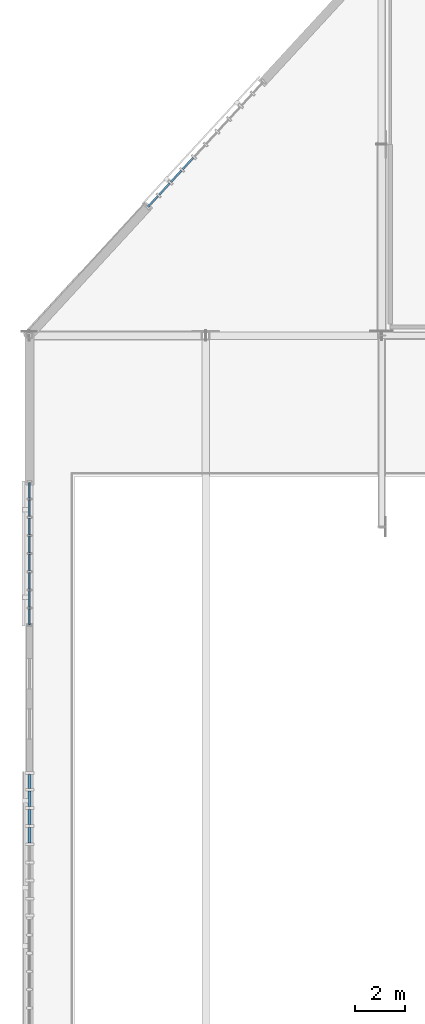
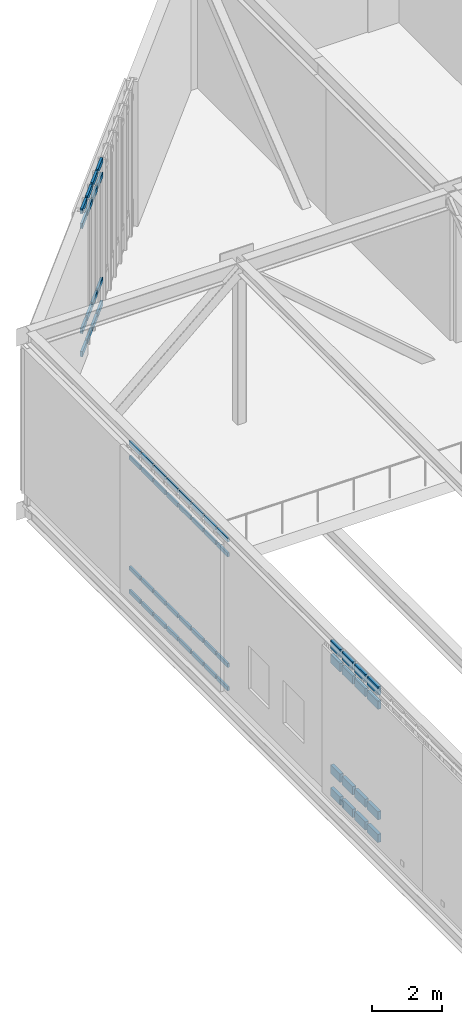
# One storey, part 53 of 135: 64 members, 3 elements without a shape of their own.
"""IFC4 building model written with IfcOpenShell, lengths in metres."""

import ifcopenshell
import ifcopenshell.guid

model = None  # the IFC model being written
_history = None  # IfcOwnerHistory: only IFC2X3 demands one
_inside = {}  # id of a spatial element -> (the spatial element, [elements in it])
_under = {}  # id of a project, library or spatial element -> (it, [spatial elements below it])
_declared = {}  # id of a project -> (the project, [libraries it declares])
_typed = {}  # id of a type object -> (the type object, [elements of that type])
_made_of = {}  # id of a material, layer set ... -> (it, [elements and type objects made of it])


def new_model(schema):
    """Start an empty IFC model of exactly this schema.

    Asked for "IFC4X3", IfcOpenShell would pick the latest addendum, in which some entities
    have other attributes; the version numbers below select the first issue.
    IFC2X3 requires an IfcOwnerHistory on every rooted entity: one is made here for all.
    """
    global model, _history
    if schema == "IFC4X3":
        model = ifcopenshell.file(schema_version=(4, 3, 0, 0))
    else:
        model = ifcopenshell.file(schema=schema)
    _inside.clear()
    _under.clear()
    _declared.clear()
    _typed.clear()
    _made_of.clear()
    _history = None
    if model.schema == "IFC2X3":
        org = make("IfcOrganization", Name="unknown")
        user = make(
            "IfcPersonAndOrganization",
            ThePerson=make("IfcPerson", FamilyName="unknown"),
            TheOrganization=org,
        )
        app = make(
            "IfcApplication",
            ApplicationDeveloper=org,
            Version="unknown",
            ApplicationFullName="unknown",
            ApplicationIdentifier="unknown",
        )
        _history = make(
            "IfcOwnerHistory",
            OwningUser=user,
            OwningApplication=app,
            ChangeAction="ADDED",
            CreationDate=0,
        )
    return model


def make(cls, **values):
    """One entity of the class cls with the attributes given. An attribute that is None is left unset."""
    return model.create_entity(
        cls, **{name: value for name, value in values.items() if value is not None}
    )


def rooted(cls, **values):
    """An entity with a GlobalId (a new one), such as an element, a storey or a relation."""
    return make(cls, GlobalId=ifcopenshell.guid.new(), OwnerHistory=_history, **values)


def si_unit(unit_type, name, prefix=None):
    """IfcSIUnit, for example si_unit("LENGTHUNIT", "METRE", prefix="MILLI")."""
    return make("IfcSIUnit", UnitType=unit_type, Prefix=prefix, Name=name)


def assignment(units):
    """IfcUnitAssignment: the units of a project."""
    return None if units is None else make("IfcUnitAssignment", Units=units)


def point(xyz):
    """IfcCartesianPoint."""
    return None if xyz is None else make("IfcCartesianPoint", Coordinates=xyz)


def direction(xyz):
    """IfcDirection."""
    return None if xyz is None else make("IfcDirection", DirectionRatios=xyz)


def frame(location, z_axis=None, x_axis=None):
    """IfcAxis2Placement3D, a coordinate frame: its origin and axes. An axis left out is left unset."""
    return make(
        "IfcAxis2Placement3D",
        Location=point(location),
        Axis=direction(z_axis),
        RefDirection=direction(x_axis),
    )


def frame_2d(location, x_axis=None):
    """IfcAxis2Placement2D, a coordinate frame in the plane: its origin and x axis."""
    return make(
        "IfcAxis2Placement2D", Location=point(location), RefDirection=direction(x_axis)
    )


def origin():
    """The frame at (0, 0, 0) with its axes left unset."""
    return frame((0.0, 0.0, 0.0))


def origin_2d():
    """The frame at (0, 0) in the plane with its x axis left unset."""
    return frame_2d((0.0, 0.0))


def place(relative_to, where):
    """IfcLocalPlacement: puts the frame where relative to a parent placement (None: the world)."""
    return make(
        "IfcLocalPlacement", PlacementRelTo=relative_to, RelativePlacement=where
    )


def context(
    kind, dimensions, precision=None, world=None, true_north=None, identifier=None
):
    """IfcGeometricRepresentationContext, for example the 3D "Model" context."""
    return make(
        "IfcGeometricRepresentationContext",
        ContextIdentifier=identifier,
        ContextType=kind,
        CoordinateSpaceDimension=dimensions,
        Precision=precision,
        WorldCoordinateSystem=world,
        TrueNorth=true_north,
    )


def subcontext(parent, identifier, kind, view, scale=None):
    """IfcGeometricRepresentationSubContext, for example "Body" below "Model"."""
    return make(
        "IfcGeometricRepresentationSubContext",
        ContextIdentifier=identifier,
        ContextType=kind,
        ParentContext=parent,
        TargetScale=scale,
        TargetView=view,
    )


def project(units=None, contexts=None):
    """IfcProject with its units and contexts."""
    return rooted(
        "IfcProject",
        Name="project",
        RepresentationContexts=contexts,
        UnitsInContext=assignment(units),
    )


def spatial(cls, under=None, at=None, **own):
    """A site, building, storey or space (cls), placed at a placement, below another one or the project."""
    s = rooted(cls, ObjectPlacement=at, **own)
    if under is not None:
        _under.setdefault(under.id(), (under, []))[1].append(s)
    return s


def profile(cls, at=None, kind="AREA", **sizes):
    """A parametric profile (cls). Its sizes go by their IFC names, for example OverallWidth=200.0."""
    return make(cls, ProfileType=kind, Position=at, **sizes)


def rectangle(**sizes):
    """IfcRectangleProfileDef."""
    return profile("IfcRectangleProfileDef", **sizes)


def extrude(swept, where, along, depth):
    """IfcExtrudedAreaSolid: the profile swept, set in the frame where, extruded along a direction by depth."""
    return make(
        "IfcExtrudedAreaSolid",
        SweptArea=swept,
        Position=where,
        ExtrudedDirection=direction(along),
        Depth=depth,
    )


def shape(context_of_items, identifier, shape_type, items):
    """IfcShapeRepresentation: the items that make up one representation, for example the "Body"."""
    return make(
        "IfcShapeRepresentation",
        ContextOfItems=context_of_items,
        RepresentationIdentifier=identifier,
        RepresentationType=shape_type,
        Items=items,
    )


def material(Name=None, Category=None):
    """IfcMaterial."""
    return make("IfcMaterial", Name=Name, Category=Category)


def material_profile(
    of_material, cross_section, Name=None, Category=None, Priority=None
):
    """IfcMaterialProfile: a cross section and its material."""
    return make(
        "IfcMaterialProfile",
        Name=Name,
        Material=of_material,
        Profile=cross_section,
        Priority=Priority,
        Category=Category,
    )


def profile_set(profiles, Name=None, composite=None):
    """IfcMaterialProfileSet."""
    return make(
        "IfcMaterialProfileSet",
        Name=Name,
        MaterialProfiles=profiles,
        CompositeProfile=composite,
    )


def made_of(thing, what):
    """Note that an element or type object is made of a material, layer set ...; save() writes the relation."""
    if what is not None:
        _made_of.setdefault(what.id(), (what, []))[1].append(thing)
    return thing


def type_object(cls, material=None, **own):
    """A type object (cls), such as IfcWallType, which elements share."""
    return made_of(rooted(cls, **own), material)


def element(
    cls,
    number,
    at=None,
    inside=None,
    cuts=None,
    type_object=None,
    material=None,
    context=None,
    identifier="Body",
    shape_type=None,
    held_by="IfcProductDefinitionShape",
    body=None,
    shapes=None,
    **own,
):
    """One element of the class cls, such as IfcWall. Its Tag is "e" and its number.

    at: its placement. inside: the storey or other place that contains it. cuts: it is an
    opening in that element (IfcRelVoidsElement). A single representation is given by context,
    identifier, shape_type and body (its items); several are given by shapes. held_by: the class
    of the entity that holds the representations. save() writes the other relations.
    """
    e = rooted(cls, Tag="e%d" % number, ObjectPlacement=at, **own)
    if body is not None:
        shapes = [shape(context, identifier, shape_type, body)]
    if shapes is not None:
        e.Representation = make(held_by, Representations=shapes)
    if inside is not None:
        _inside.setdefault(inside.id(), (inside, []))[1].append(e)
    if cuts is not None:
        rooted(
            "IfcRelVoidsElement", RelatingBuildingElement=cuts, RelatedOpeningElement=e
        )
    if type_object is not None:
        _typed.setdefault(type_object.id(), (type_object, []))[1].append(e)
    return made_of(e, material)


def aggregate(whole, parts):
    """IfcRelAggregates: a whole, such as a stair, and the parts it consists of."""
    return rooted("IfcRelAggregates", RelatingObject=whole, RelatedObjects=parts)


def save(model, path):
    """Write the relations noted so far, then the file.

    IfcRelAggregates (storeys below a building ...), IfcRelContainedInSpatialStructure (elements
    in a storey), IfcRelDefinesByType, IfcRelAssociatesMaterial and IfcRelDeclares: one each for
    every whole, place, type object, material and project.
    """
    for whole, parts in _under.values():
        aggregate(whole, parts)
    for where, things in _inside.values():
        rooted(
            "IfcRelContainedInSpatialStructure",
            RelatedElements=things,
            RelatingStructure=where,
        )
    for kind, things in _typed.values():
        rooted("IfcRelDefinesByType", RelatedObjects=things, RelatingType=kind)
    for what, things in _made_of.values():
        rooted("IfcRelAssociatesMaterial", RelatedObjects=things, RelatingMaterial=what)
    for by, libraries in _declared.values():
        rooted("IfcRelDeclares", RelatingContext=by, RelatedDefinitions=libraries)
    model.write(path)


model = new_model("IFC4")

# Units and contexts
model_context = context("Model", 3, precision=1e-05, world=origin(), true_north=direction((0.0, 1.0)))
body_context = subcontext(model_context, "Body", "Model", "MODEL_VIEW")
ifc_project = project(units=[si_unit("LENGTHUNIT", "METRE"), si_unit("AREAUNIT", "SQUARE_METRE"), si_unit("VOLUMEUNIT", "CUBIC_METRE"), si_unit("PLANEANGLEUNIT", "RADIAN"), si_unit("MASSUNIT", "GRAM", prefix="KILO")], contexts=[model_context])

# Site, building, storey
site_placement = place(None, origin())
site = spatial("IfcSite", under=ifc_project, at=site_placement, CompositionType="ELEMENT")
building_placement = place(site_placement, origin())
building = spatial("IfcBuilding", under=site, at=building_placement, Name="Larkvane Passage Sports Hall", CompositionType="ELEMENT")
storey_placement = place(building_placement, frame((0.0, 0.0, 10.800048828125)))
storey = spatial("IfcBuildingStorey", under=building, at=storey_placement, Name="L02", CompositionType="ELEMENT", Elevation=10.800048828125)

# Curtain wall, members
ifc_material_1 = material(Name="Thermally broken aluminium and low-E glazing", Category="aluminium")
curtain_wall_type_1 = type_object("IfcCurtainWallType", Name="CW-CLINIC", PredefinedType="USERDEFINED", material=ifc_material_1)
curtain_wall_1_placement = place(storey_placement, origin())
curtain_wall_1 = element("IfcCurtainWall", 1, at=curtain_wall_1_placement, inside=storey, type_object=curtain_wall_type_1, Name="Curtain wall CW5-L02-095", ObjectType="UNITISED CURTAIN WALL", PredefinedType="USERDEFINED")
ifc_material_2 = material(Name="Anodised aluminium 6063-T6", Category="aluminium")
ifc_material_profile_1 = material_profile(ifc_material_2, rectangle(XDim=0.110107421875, YDim=0.2900390625, at=origin_2d()), Name="ALU-TRN-110x290")
ifc_profile_set_1 = profile_set([ifc_material_profile_1], Name="Anodised aluminium 6063-T6")
member_type_1 = type_object("IfcMemberType", Name="CW-TRN-110x290", PredefinedType="USERDEFINED", material=ifc_profile_set_1)
member_1_placement = place(storey_placement, frame((13.800048828125, 71.432861328125, 0.054931640625), z_axis=(0.0, 1.0, 0.0), x_axis=(-1.0, 0.0, 0.0)))
member_1 = element("IfcMember", 2, at=member_1_placement, type_object=member_type_1, Name="CW-05 transom 5.1", ObjectType="TRANSOM", PredefinedType="USERDEFINED", context=body_context, shape_type="SweptSolid", body=[
    extrude(rectangle(XDim=0.110107421875, YDim=0.2900390625, at=origin_2d()), origin(), (0.0, 0.0, 1.0), 0.612060546875),
])
member_2_placement = place(storey_placement, frame((13.800048828125, 71.432861328125, 0.849853515625), z_axis=(0.0, 1.0, 0.0), x_axis=(-1.0, 0.0, 0.0)))
member_2 = element("IfcMember", 3, at=member_2_placement, type_object=member_type_1, Name="CW-05 transom 5.2", ObjectType="TRANSOM", PredefinedType="USERDEFINED", context=body_context, shape_type="SweptSolid", body=[
    extrude(rectangle(XDim=0.110107421875, YDim=0.2900390625, at=origin_2d()), origin(), (0.0, 0.0, 1.0), 0.612060546875),
])
member_3_placement = place(storey_placement, frame((13.800048828125, 71.432861328125, 4.72802734375), z_axis=(0.0, 1.0, 0.0), x_axis=(-1.0, 0.0, 0.0)))
member_3 = element("IfcMember", 4, at=member_3_placement, type_object=member_type_1, Name="CW-05 transom 5.3", ObjectType="TRANSOM", PredefinedType="USERDEFINED", context=body_context, shape_type="SweptSolid", body=[
    extrude(rectangle(XDim=0.110107421875, YDim=0.2900390625, at=origin_2d()), origin(), (0.0, 0.0, 1.0), 0.612060546875),
])
member_4_placement = place(storey_placement, frame((13.800048828125, 71.432861328125, 5.222900390625), z_axis=(0.0, 1.0, 0.0), x_axis=(-1.0, 0.0, 0.0)))
member_4 = element("IfcMember", 5, at=member_4_placement, type_object=member_type_1, Name="CW-05 transom 5.4", ObjectType="TRANSOM", PredefinedType="USERDEFINED", context=body_context, shape_type="SweptSolid", body=[
    extrude(rectangle(XDim=0.110107421875, YDim=0.2900390625, at=origin_2d()), origin(), (0.0, 0.0, 1.0), 0.612060546875),
])
member_5_placement = place(storey_placement, frame((13.800048828125, 72.155029296875, 0.054931640625), z_axis=(0.0, 1.0, 0.0), x_axis=(-1.0, 0.0, 0.0)))
member_5 = element("IfcMember", 6, at=member_5_placement, type_object=member_type_1, Name="CW-05 transom 6.1", ObjectType="TRANSOM", PredefinedType="USERDEFINED", context=body_context, shape_type="SweptSolid", body=[
    extrude(rectangle(XDim=0.110107421875, YDim=0.2900390625, at=origin_2d()), origin(), (0.0, 0.0, 1.0), 0.6123046875),
])
member_6_placement = place(storey_placement, frame((13.800048828125, 72.155029296875, 0.849853515625), z_axis=(0.0, 1.0, 0.0), x_axis=(-1.0, 0.0, 0.0)))
member_6 = element("IfcMember", 7, at=member_6_placement, type_object=member_type_1, Name="CW-05 transom 6.2", ObjectType="TRANSOM", PredefinedType="USERDEFINED", context=body_context, shape_type="SweptSolid", body=[
    extrude(rectangle(XDim=0.110107421875, YDim=0.2900390625, at=origin_2d()), origin(), (0.0, 0.0, 1.0), 0.6123046875),
])
member_7_placement = place(storey_placement, frame((13.800048828125, 72.155029296875, 4.72802734375), z_axis=(0.0, 1.0, 0.0), x_axis=(-1.0, 0.0, 0.0)))
member_7 = element("IfcMember", 8, at=member_7_placement, type_object=member_type_1, Name="CW-05 transom 6.3", ObjectType="TRANSOM", PredefinedType="USERDEFINED", context=body_context, shape_type="SweptSolid", body=[
    extrude(rectangle(XDim=0.110107421875, YDim=0.2900390625, at=origin_2d()), origin(), (0.0, 0.0, 1.0), 0.6123046875),
])
member_8_placement = place(storey_placement, frame((13.800048828125, 72.155029296875, 5.222900390625), z_axis=(0.0, 1.0, 0.0), x_axis=(-1.0, 0.0, 0.0)))
member_8 = element("IfcMember", 9, at=member_8_placement, type_object=member_type_1, Name="CW-05 transom 6.4", ObjectType="TRANSOM", PredefinedType="USERDEFINED", context=body_context, shape_type="SweptSolid", body=[
    extrude(rectangle(XDim=0.110107421875, YDim=0.2900390625, at=origin_2d()), origin(), (0.0, 0.0, 1.0), 0.6123046875),
])
member_9_placement = place(storey_placement, frame((13.800048828125, 72.877197265625, 0.054931640625), z_axis=(0.0, 1.0, 0.0), x_axis=(-1.0, 0.0, 0.0)))
member_9 = element("IfcMember", 10, at=member_9_placement, type_object=member_type_1, Name="CW-05 transom 7.1", ObjectType="TRANSOM", PredefinedType="USERDEFINED", context=body_context, shape_type="SweptSolid", body=[
    extrude(rectangle(XDim=0.110107421875, YDim=0.2900390625, at=origin_2d()), origin(), (0.0, 0.0, 1.0), 0.6123046875),
])
member_10_placement = place(storey_placement, frame((13.800048828125, 72.877197265625, 0.849853515625), z_axis=(0.0, 1.0, 0.0), x_axis=(-1.0, 0.0, 0.0)))
member_10 = element("IfcMember", 11, at=member_10_placement, type_object=member_type_1, Name="CW-05 transom 7.2", ObjectType="TRANSOM", PredefinedType="USERDEFINED", context=body_context, shape_type="SweptSolid", body=[
    extrude(rectangle(XDim=0.110107421875, YDim=0.2900390625, at=origin_2d()), origin(), (0.0, 0.0, 1.0), 0.6123046875),
])
member_11_placement = place(storey_placement, frame((13.800048828125, 72.877197265625, 4.72802734375), z_axis=(0.0, 1.0, 0.0), x_axis=(-1.0, 0.0, 0.0)))
member_11 = element("IfcMember", 12, at=member_11_placement, type_object=member_type_1, Name="CW-05 transom 7.3", ObjectType="TRANSOM", PredefinedType="USERDEFINED", context=body_context, shape_type="SweptSolid", body=[
    extrude(rectangle(XDim=0.110107421875, YDim=0.2900390625, at=origin_2d()), origin(), (0.0, 0.0, 1.0), 0.6123046875),
])
member_12_placement = place(storey_placement, frame((13.800048828125, 72.877197265625, 5.222900390625), z_axis=(0.0, 1.0, 0.0), x_axis=(-1.0, 0.0, 0.0)))
member_12 = element("IfcMember", 13, at=member_12_placement, type_object=member_type_1, Name="CW-05 transom 7.4", ObjectType="TRANSOM", PredefinedType="USERDEFINED", context=body_context, shape_type="SweptSolid", body=[
    extrude(rectangle(XDim=0.110107421875, YDim=0.2900390625, at=origin_2d()), origin(), (0.0, 0.0, 1.0), 0.6123046875),
])
member_13_placement = place(storey_placement, frame((13.800048828125, 73.599365234375, 0.054931640625), z_axis=(0.0, 1.0, 0.0), x_axis=(-1.0, 0.0, 0.0)))
member_13 = element("IfcMember", 14, at=member_13_placement, type_object=member_type_1, Name="CW-05 transom 8.1", ObjectType="TRANSOM", PredefinedType="USERDEFINED", context=body_context, shape_type="SweptSolid", body=[
    extrude(rectangle(XDim=0.110107421875, YDim=0.2900390625, at=origin_2d()), origin(), (0.0, 0.0, 1.0), 0.557373046875),
])
member_14_placement = place(storey_placement, frame((13.800048828125, 73.599365234375, 0.849853515625), z_axis=(0.0, 1.0, 0.0), x_axis=(-1.0, 0.0, 0.0)))
member_14 = element("IfcMember", 15, at=member_14_placement, type_object=member_type_1, Name="CW-05 transom 8.2", ObjectType="TRANSOM", PredefinedType="USERDEFINED", context=body_context, shape_type="SweptSolid", body=[
    extrude(rectangle(XDim=0.110107421875, YDim=0.2900390625, at=origin_2d()), origin(), (0.0, 0.0, 1.0), 0.557373046875),
])
member_15_placement = place(storey_placement, frame((13.800048828125, 73.599365234375, 4.72802734375), z_axis=(0.0, 1.0, 0.0), x_axis=(-1.0, 0.0, 0.0)))
member_15 = element("IfcMember", 16, at=member_15_placement, type_object=member_type_1, Name="CW-05 transom 8.3", ObjectType="TRANSOM", PredefinedType="USERDEFINED", context=body_context, shape_type="SweptSolid", body=[
    extrude(rectangle(XDim=0.110107421875, YDim=0.2900390625, at=origin_2d()), origin(), (0.0, 0.0, 1.0), 0.557373046875),
])
member_16_placement = place(storey_placement, frame((13.800048828125, 73.599365234375, 5.222900390625), z_axis=(0.0, 1.0, 0.0), x_axis=(-1.0, 0.0, 0.0)))
member_16 = element("IfcMember", 17, at=member_16_placement, type_object=member_type_1, Name="CW-05 transom 8.4", ObjectType="TRANSOM", PredefinedType="USERDEFINED", context=body_context, shape_type="SweptSolid", body=[
    extrude(rectangle(XDim=0.110107421875, YDim=0.2900390625, at=origin_2d()), origin(), (0.0, 0.0, 1.0), 0.557373046875),
])
aggregate(curtain_wall_1, [member_1, member_2, member_3, member_4, member_5, member_6, member_7, member_8, member_9, member_10, member_11, member_12, member_13, member_14, member_15, member_16])

curtain_wall_type_2 = type_object("IfcCurtainWallType", Name="CW-UNIT-COURT", PredefinedType="USERDEFINED", material=ifc_material_1)
curtain_wall_2_placement = place(storey_placement, origin())
curtain_wall_2 = element("IfcCurtainWall", 18, at=curtain_wall_2_placement, inside=storey, type_object=curtain_wall_type_2, Name="Curtain wall CW5-L02-096", ObjectType="UNITISED CURTAIN WALL", PredefinedType="USERDEFINED")
ifc_material_profile_2 = material_profile(ifc_material_2, rectangle(XDim=0.06494140625, YDim=0.139892578125, at=origin_2d()), Name="ALU-TRN-65x140")
ifc_profile_set_2 = profile_set([ifc_material_profile_2], Name="Anodised aluminium 6063-T6")
member_type_2 = type_object("IfcMemberType", Name="CW-TRN-65x140", PredefinedType="USERDEFINED", material=ifc_profile_set_2)
member_17_placement = place(storey_placement, frame((13.800048828125, 80.109375, 0.032470703125), z_axis=(0.0, 1.0, 0.0), x_axis=(-1.0, 0.0, 0.0)))
member_17 = element("IfcMember", 19, at=member_17_placement, type_object=member_type_2, Name="CW-01 transom 1.1", ObjectType="TRANSOM", PredefinedType="USERDEFINED", context=body_context, shape_type="SweptSolid", body=[
    extrude(rectangle(XDim=0.06494140625, YDim=0.139892578125, at=origin_2d()), origin(), (0.0, 0.0, 1.0), 0.624755859375),
])
member_18_placement = place(storey_placement, frame((13.800048828125, 80.109375, 0.849853515625), z_axis=(0.0, 1.0, 0.0), x_axis=(-1.0, 0.0, 0.0)))
member_18 = element("IfcMember", 20, at=member_18_placement, type_object=member_type_2, Name="CW-01 transom 1.2", ObjectType="TRANSOM", PredefinedType="USERDEFINED", context=body_context, shape_type="SweptSolid", body=[
    extrude(rectangle(XDim=0.06494140625, YDim=0.139892578125, at=origin_2d()), origin(), (0.0, 0.0, 1.0), 0.624755859375),
])
member_19_placement = place(storey_placement, frame((13.800048828125, 80.109375, 4.72802734375), z_axis=(0.0, 1.0, 0.0), x_axis=(-1.0, 0.0, 0.0)))
member_19 = element("IfcMember", 21, at=member_19_placement, type_object=member_type_2, Name="CW-01 transom 1.3", ObjectType="TRANSOM", PredefinedType="USERDEFINED", context=body_context, shape_type="SweptSolid", body=[
    extrude(rectangle(XDim=0.06494140625, YDim=0.139892578125, at=origin_2d()), origin(), (0.0, 0.0, 1.0), 0.624755859375),
])
member_20_placement = place(storey_placement, frame((13.800048828125, 80.109375, 5.245361328125), z_axis=(0.0, 1.0, 0.0), x_axis=(-1.0, 0.0, 0.0)))
member_20 = element("IfcMember", 22, at=member_20_placement, type_object=member_type_2, Name="CW-01 transom 1.4", ObjectType="TRANSOM", PredefinedType="USERDEFINED", context=body_context, shape_type="SweptSolid", body=[
    extrude(rectangle(XDim=0.06494140625, YDim=0.139892578125, at=origin_2d()), origin(), (0.0, 0.0, 1.0), 0.624755859375),
])
member_21_placement = place(storey_placement, frame((13.800048828125, 80.799072265625, 0.032470703125), z_axis=(0.0, 1.0, 0.0), x_axis=(-1.0, 0.0, 0.0)))
member_21 = element("IfcMember", 23, at=member_21_placement, type_object=member_type_2, Name="CW-01 transom 2.1", ObjectType="TRANSOM", PredefinedType="USERDEFINED", context=body_context, shape_type="SweptSolid", body=[
    extrude(rectangle(XDim=0.06494140625, YDim=0.139892578125, at=origin_2d()), origin(), (0.0, 0.0, 1.0), 0.6572265625),
])
member_22_placement = place(storey_placement, frame((13.800048828125, 80.799072265625, 0.849853515625), z_axis=(0.0, 1.0, 0.0), x_axis=(-1.0, 0.0, 0.0)))
member_22 = element("IfcMember", 24, at=member_22_placement, type_object=member_type_2, Name="CW-01 transom 2.2", ObjectType="TRANSOM", PredefinedType="USERDEFINED", context=body_context, shape_type="SweptSolid", body=[
    extrude(rectangle(XDim=0.06494140625, YDim=0.139892578125, at=origin_2d()), origin(), (0.0, 0.0, 1.0), 0.6572265625),
])
member_23_placement = place(storey_placement, frame((13.800048828125, 80.799072265625, 4.72802734375), z_axis=(0.0, 1.0, 0.0), x_axis=(-1.0, 0.0, 0.0)))
member_23 = element("IfcMember", 25, at=member_23_placement, type_object=member_type_2, Name="CW-01 transom 2.3", ObjectType="TRANSOM", PredefinedType="USERDEFINED", context=body_context, shape_type="SweptSolid", body=[
    extrude(rectangle(XDim=0.06494140625, YDim=0.139892578125, at=origin_2d()), origin(), (0.0, 0.0, 1.0), 0.6572265625),
])
member_24_placement = place(storey_placement, frame((13.800048828125, 80.799072265625, 5.245361328125), z_axis=(0.0, 1.0, 0.0), x_axis=(-1.0, 0.0, 0.0)))
member_24 = element("IfcMember", 26, at=member_24_placement, type_object=member_type_2, Name="CW-01 transom 2.4", ObjectType="TRANSOM", PredefinedType="USERDEFINED", context=body_context, shape_type="SweptSolid", body=[
    extrude(rectangle(XDim=0.06494140625, YDim=0.139892578125, at=origin_2d()), origin(), (0.0, 0.0, 1.0), 0.6572265625),
])
member_25_placement = place(storey_placement, frame((13.800048828125, 81.521240234375, 0.032470703125), z_axis=(0.0, 1.0, 0.0), x_axis=(-1.0, 0.0, 0.0)))
member_25 = element("IfcMember", 27, at=member_25_placement, type_object=member_type_2, Name="CW-01 transom 3.1", ObjectType="TRANSOM", PredefinedType="USERDEFINED", context=body_context, shape_type="SweptSolid", body=[
    extrude(rectangle(XDim=0.06494140625, YDim=0.139892578125, at=origin_2d()), origin(), (0.0, 0.0, 1.0), 0.6572265625),
])
member_26_placement = place(storey_placement, frame((13.800048828125, 81.521240234375, 0.849853515625), z_axis=(0.0, 1.0, 0.0), x_axis=(-1.0, 0.0, 0.0)))
member_26 = element("IfcMember", 28, at=member_26_placement, type_object=member_type_2, Name="CW-01 transom 3.2", ObjectType="TRANSOM", PredefinedType="USERDEFINED", context=body_context, shape_type="SweptSolid", body=[
    extrude(rectangle(XDim=0.06494140625, YDim=0.139892578125, at=origin_2d()), origin(), (0.0, 0.0, 1.0), 0.6572265625),
])
member_27_placement = place(storey_placement, frame((13.800048828125, 81.521240234375, 4.72802734375), z_axis=(0.0, 1.0, 0.0), x_axis=(-1.0, 0.0, 0.0)))
member_27 = element("IfcMember", 29, at=member_27_placement, type_object=member_type_2, Name="CW-01 transom 3.3", ObjectType="TRANSOM", PredefinedType="USERDEFINED", context=body_context, shape_type="SweptSolid", body=[
    extrude(rectangle(XDim=0.06494140625, YDim=0.139892578125, at=origin_2d()), origin(), (0.0, 0.0, 1.0), 0.6572265625),
])
member_28_placement = place(storey_placement, frame((13.800048828125, 81.521240234375, 5.245361328125), z_axis=(0.0, 1.0, 0.0), x_axis=(-1.0, 0.0, 0.0)))
member_28 = element("IfcMember", 30, at=member_28_placement, type_object=member_type_2, Name="CW-01 transom 3.4", ObjectType="TRANSOM", PredefinedType="USERDEFINED", context=body_context, shape_type="SweptSolid", body=[
    extrude(rectangle(XDim=0.06494140625, YDim=0.139892578125, at=origin_2d()), origin(), (0.0, 0.0, 1.0), 0.6572265625),
])
member_29_placement = place(storey_placement, frame((13.800048828125, 82.24365234375, 0.032470703125), z_axis=(0.0, 1.0, 0.0), x_axis=(-1.0, 0.0, 0.0)))
member_29 = element("IfcMember", 31, at=member_29_placement, type_object=member_type_2, Name="CW-01 transom 4.1", ObjectType="TRANSOM", PredefinedType="USERDEFINED", context=body_context, shape_type="SweptSolid", body=[
    extrude(rectangle(XDim=0.06494140625, YDim=0.139892578125, at=origin_2d()), origin(), (0.0, 0.0, 1.0), 0.6572265625),
])
member_30_placement = place(storey_placement, frame((13.800048828125, 82.24365234375, 0.849853515625), z_axis=(0.0, 1.0, 0.0), x_axis=(-1.0, 0.0, 0.0)))
member_30 = element("IfcMember", 32, at=member_30_placement, type_object=member_type_2, Name="CW-01 transom 4.2", ObjectType="TRANSOM", PredefinedType="USERDEFINED", context=body_context, shape_type="SweptSolid", body=[
    extrude(rectangle(XDim=0.06494140625, YDim=0.139892578125, at=origin_2d()), origin(), (0.0, 0.0, 1.0), 0.6572265625),
])
member_31_placement = place(storey_placement, frame((13.800048828125, 82.24365234375, 4.72802734375), z_axis=(0.0, 1.0, 0.0), x_axis=(-1.0, 0.0, 0.0)))
member_31 = element("IfcMember", 33, at=member_31_placement, type_object=member_type_2, Name="CW-01 transom 4.3", ObjectType="TRANSOM", PredefinedType="USERDEFINED", context=body_context, shape_type="SweptSolid", body=[
    extrude(rectangle(XDim=0.06494140625, YDim=0.139892578125, at=origin_2d()), origin(), (0.0, 0.0, 1.0), 0.6572265625),
])
member_32_placement = place(storey_placement, frame((13.800048828125, 82.24365234375, 5.245361328125), z_axis=(0.0, 1.0, 0.0), x_axis=(-1.0, 0.0, 0.0)))
member_32 = element("IfcMember", 34, at=member_32_placement, type_object=member_type_2, Name="CW-01 transom 4.4", ObjectType="TRANSOM", PredefinedType="USERDEFINED", context=body_context, shape_type="SweptSolid", body=[
    extrude(rectangle(XDim=0.06494140625, YDim=0.139892578125, at=origin_2d()), origin(), (0.0, 0.0, 1.0), 0.6572265625),
])
member_33_placement = place(storey_placement, frame((13.800048828125, 82.9658203125, 0.032470703125), z_axis=(0.0, 1.0, 0.0), x_axis=(-1.0, 0.0, 0.0)))
member_33 = element("IfcMember", 35, at=member_33_placement, type_object=member_type_2, Name="CW-01 transom 5.1", ObjectType="TRANSOM", PredefinedType="USERDEFINED", context=body_context, shape_type="SweptSolid", body=[
    extrude(rectangle(XDim=0.06494140625, YDim=0.139892578125, at=origin_2d()), origin(), (0.0, 0.0, 1.0), 0.6572265625),
])
member_34_placement = place(storey_placement, frame((13.800048828125, 82.9658203125, 0.849853515625), z_axis=(0.0, 1.0, 0.0), x_axis=(-1.0, 0.0, 0.0)))
member_34 = element("IfcMember", 36, at=member_34_placement, type_object=member_type_2, Name="CW-01 transom 5.2", ObjectType="TRANSOM", PredefinedType="USERDEFINED", context=body_context, shape_type="SweptSolid", body=[
    extrude(rectangle(XDim=0.06494140625, YDim=0.139892578125, at=origin_2d()), origin(), (0.0, 0.0, 1.0), 0.6572265625),
])
member_35_placement = place(storey_placement, frame((13.800048828125, 82.9658203125, 4.72802734375), z_axis=(0.0, 1.0, 0.0), x_axis=(-1.0, 0.0, 0.0)))
member_35 = element("IfcMember", 37, at=member_35_placement, type_object=member_type_2, Name="CW-01 transom 5.3", ObjectType="TRANSOM", PredefinedType="USERDEFINED", context=body_context, shape_type="SweptSolid", body=[
    extrude(rectangle(XDim=0.06494140625, YDim=0.139892578125, at=origin_2d()), origin(), (0.0, 0.0, 1.0), 0.6572265625),
])
member_36_placement = place(storey_placement, frame((13.800048828125, 82.9658203125, 5.245361328125), z_axis=(0.0, 1.0, 0.0), x_axis=(-1.0, 0.0, 0.0)))
member_36 = element("IfcMember", 38, at=member_36_placement, type_object=member_type_2, Name="CW-01 transom 5.4", ObjectType="TRANSOM", PredefinedType="USERDEFINED", context=body_context, shape_type="SweptSolid", body=[
    extrude(rectangle(XDim=0.06494140625, YDim=0.139892578125, at=origin_2d()), origin(), (0.0, 0.0, 1.0), 0.6572265625),
])
member_37_placement = place(storey_placement, frame((13.800048828125, 83.68798828125, 0.032470703125), z_axis=(0.0, 1.0, 0.0), x_axis=(-1.0, 0.0, 0.0)))
member_37 = element("IfcMember", 39, at=member_37_placement, type_object=member_type_2, Name="CW-01 transom 6.1", ObjectType="TRANSOM", PredefinedType="USERDEFINED", context=body_context, shape_type="SweptSolid", body=[
    extrude(rectangle(XDim=0.06494140625, YDim=0.139892578125, at=origin_2d()), origin(), (0.0, 0.0, 1.0), 0.6572265625),
])
member_38_placement = place(storey_placement, frame((13.800048828125, 83.68798828125, 0.849853515625), z_axis=(0.0, 1.0, 0.0), x_axis=(-1.0, 0.0, 0.0)))
member_38 = element("IfcMember", 40, at=member_38_placement, type_object=member_type_2, Name="CW-01 transom 6.2", ObjectType="TRANSOM", PredefinedType="USERDEFINED", context=body_context, shape_type="SweptSolid", body=[
    extrude(rectangle(XDim=0.06494140625, YDim=0.139892578125, at=origin_2d()), origin(), (0.0, 0.0, 1.0), 0.6572265625),
])
member_39_placement = place(storey_placement, frame((13.800048828125, 83.68798828125, 4.72802734375), z_axis=(0.0, 1.0, 0.0), x_axis=(-1.0, 0.0, 0.0)))
member_39 = element("IfcMember", 41, at=member_39_placement, type_object=member_type_2, Name="CW-01 transom 6.3", ObjectType="TRANSOM", PredefinedType="USERDEFINED", context=body_context, shape_type="SweptSolid", body=[
    extrude(rectangle(XDim=0.06494140625, YDim=0.139892578125, at=origin_2d()), origin(), (0.0, 0.0, 1.0), 0.6572265625),
])
member_40_placement = place(storey_placement, frame((13.800048828125, 83.68798828125, 5.245361328125), z_axis=(0.0, 1.0, 0.0), x_axis=(-1.0, 0.0, 0.0)))
member_40 = element("IfcMember", 42, at=member_40_placement, type_object=member_type_2, Name="CW-01 transom 6.4", ObjectType="TRANSOM", PredefinedType="USERDEFINED", context=body_context, shape_type="SweptSolid", body=[
    extrude(rectangle(XDim=0.06494140625, YDim=0.139892578125, at=origin_2d()), origin(), (0.0, 0.0, 1.0), 0.6572265625),
])
member_41_placement = place(storey_placement, frame((13.800048828125, 84.41015625, 0.032470703125), z_axis=(0.0, 1.0, 0.0), x_axis=(-1.0, 0.0, 0.0)))
member_41 = element("IfcMember", 43, at=member_41_placement, type_object=member_type_2, Name="CW-01 transom 7.1", ObjectType="TRANSOM", PredefinedType="USERDEFINED", context=body_context, shape_type="SweptSolid", body=[
    extrude(rectangle(XDim=0.06494140625, YDim=0.139892578125, at=origin_2d()), origin(), (0.0, 0.0, 1.0), 0.6572265625),
])
member_42_placement = place(storey_placement, frame((13.800048828125, 84.41015625, 0.849853515625), z_axis=(0.0, 1.0, 0.0), x_axis=(-1.0, 0.0, 0.0)))
member_42 = element("IfcMember", 44, at=member_42_placement, type_object=member_type_2, Name="CW-01 transom 7.2", ObjectType="TRANSOM", PredefinedType="USERDEFINED", context=body_context, shape_type="SweptSolid", body=[
    extrude(rectangle(XDim=0.06494140625, YDim=0.139892578125, at=origin_2d()), origin(), (0.0, 0.0, 1.0), 0.6572265625),
])
member_43_placement = place(storey_placement, frame((13.800048828125, 84.41015625, 4.72802734375), z_axis=(0.0, 1.0, 0.0), x_axis=(-1.0, 0.0, 0.0)))
member_43 = element("IfcMember", 45, at=member_43_placement, type_object=member_type_2, Name="CW-01 transom 7.3", ObjectType="TRANSOM", PredefinedType="USERDEFINED", context=body_context, shape_type="SweptSolid", body=[
    extrude(rectangle(XDim=0.06494140625, YDim=0.139892578125, at=origin_2d()), origin(), (0.0, 0.0, 1.0), 0.6572265625),
])
member_44_placement = place(storey_placement, frame((13.800048828125, 84.41015625, 5.245361328125), z_axis=(0.0, 1.0, 0.0), x_axis=(-1.0, 0.0, 0.0)))
member_44 = element("IfcMember", 46, at=member_44_placement, type_object=member_type_2, Name="CW-01 transom 7.4", ObjectType="TRANSOM", PredefinedType="USERDEFINED", context=body_context, shape_type="SweptSolid", body=[
    extrude(rectangle(XDim=0.06494140625, YDim=0.139892578125, at=origin_2d()), origin(), (0.0, 0.0, 1.0), 0.6572265625),
])
member_45_placement = place(storey_placement, frame((13.800048828125, 85.132568359375, 0.032470703125), z_axis=(0.0, 1.0, 0.0), x_axis=(-1.0, 0.0, 0.0)))
member_45 = element("IfcMember", 47, at=member_45_placement, type_object=member_type_2, Name="CW-01 transom 8.1", ObjectType="TRANSOM", PredefinedType="USERDEFINED", context=body_context, shape_type="SweptSolid", body=[
    extrude(rectangle(XDim=0.06494140625, YDim=0.139892578125, at=origin_2d()), origin(), (0.0, 0.0, 1.0), 0.62451171875),
])
member_46_placement = place(storey_placement, frame((13.800048828125, 85.132568359375, 0.849853515625), z_axis=(0.0, 1.0, 0.0), x_axis=(-1.0, 0.0, 0.0)))
member_46 = element("IfcMember", 48, at=member_46_placement, type_object=member_type_2, Name="CW-01 transom 8.2", ObjectType="TRANSOM", PredefinedType="USERDEFINED", context=body_context, shape_type="SweptSolid", body=[
    extrude(rectangle(XDim=0.06494140625, YDim=0.139892578125, at=origin_2d()), origin(), (0.0, 0.0, 1.0), 0.62451171875),
])
member_47_placement = place(storey_placement, frame((13.800048828125, 85.132568359375, 4.72802734375), z_axis=(0.0, 1.0, 0.0), x_axis=(-1.0, 0.0, 0.0)))
member_47 = element("IfcMember", 49, at=member_47_placement, type_object=member_type_2, Name="CW-01 transom 8.3", ObjectType="TRANSOM", PredefinedType="USERDEFINED", context=body_context, shape_type="SweptSolid", body=[
    extrude(rectangle(XDim=0.06494140625, YDim=0.139892578125, at=origin_2d()), origin(), (0.0, 0.0, 1.0), 0.62451171875),
])
member_48_placement = place(storey_placement, frame((13.800048828125, 85.132568359375, 5.245361328125), z_axis=(0.0, 1.0, 0.0), x_axis=(-1.0, 0.0, 0.0)))
member_48 = element("IfcMember", 50, at=member_48_placement, type_object=member_type_2, Name="CW-01 transom 8.4", ObjectType="TRANSOM", PredefinedType="USERDEFINED", context=body_context, shape_type="SweptSolid", body=[
    extrude(rectangle(XDim=0.06494140625, YDim=0.139892578125, at=origin_2d()), origin(), (0.0, 0.0, 1.0), 0.62451171875),
])
aggregate(curtain_wall_2, [member_17, member_18, member_19, member_20, member_21, member_22, member_23, member_24, member_25, member_26, member_27, member_28, member_29, member_30, member_31, member_32, member_33, member_34, member_35, member_36, member_37, member_38, member_39, member_40, member_41, member_42, member_43, member_44, member_45, member_46, member_47, member_48])

curtain_wall_type_3 = type_object("IfcCurtainWallType", Name="CW-UNIT-VEIL", PredefinedType="USERDEFINED", material=ifc_material_1)
curtain_wall_3_placement = place(storey_placement, origin())
curtain_wall_3 = element("IfcCurtainWall", 51, at=curtain_wall_3_placement, inside=storey, type_object=curtain_wall_type_3, Name="Curtain wall CW5-L02-097", ObjectType="UNITISED CURTAIN WALL", PredefinedType="USERDEFINED")
ifc_material_profile_3 = material_profile(ifc_material_2, rectangle(XDim=0.074951171875, YDim=0.18505859375, at=origin_2d()), Name="ALU-TRN-75x185")
ifc_profile_set_3 = profile_set([ifc_material_profile_3], Name="Anodised aluminium 6063-T6")
member_type_3 = type_object("IfcMemberType", Name="CW-TRN-75x185", PredefinedType="USERDEFINED", material=ifc_profile_set_3)
member_49_placement = place(storey_placement, frame((18.517578125, 96.721923828125, 0.037353515625), z_axis=(0.677487819403, 0.735533992798, 0.0), x_axis=(-0.735533992798, 0.677487819403, 0.0)))
member_49 = element("IfcMember", 52, at=member_49_placement, type_object=member_type_3, Name="CW-02 transom 1.1", ObjectType="TRANSOM", PredefinedType="USERDEFINED", context=body_context, shape_type="SweptSolid", body=[
    extrude(rectangle(XDim=0.074951171875, YDim=0.18505859375, at=origin_2d()), origin(), (0.0, 0.0, 1.0), 0.576171875),
])
member_50_placement = place(storey_placement, frame((18.517578125, 96.721923828125, 0.849853515625), z_axis=(0.677487819403, 0.735533992798, 0.0), x_axis=(-0.735533992798, 0.677487819403, 0.0)))
member_50 = element("IfcMember", 53, at=member_50_placement, type_object=member_type_3, Name="CW-02 transom 1.2", ObjectType="TRANSOM", PredefinedType="USERDEFINED", context=body_context, shape_type="SweptSolid", body=[
    extrude(rectangle(XDim=0.074951171875, YDim=0.18505859375, at=origin_2d()), origin(), (0.0, 0.0, 1.0), 0.576171875),
])
member_51_placement = place(storey_placement, frame((18.517578125, 96.721923828125, 4.530029296875), z_axis=(0.677487819403, 0.735533992798, 0.0), x_axis=(-0.735533992798, 0.677487819403, 0.0)))
member_51 = element("IfcMember", 54, at=member_51_placement, type_object=member_type_3, Name="CW-02 transom 1.3", ObjectType="TRANSOM", PredefinedType="USERDEFINED", context=body_context, shape_type="SweptSolid", body=[
    extrude(rectangle(XDim=0.074951171875, YDim=0.18505859375, at=origin_2d()), origin(), (0.0, 0.0, 1.0), 0.576171875),
])
member_52_placement = place(storey_placement, frame((18.517578125, 96.721923828125, 5.04248046875), z_axis=(0.677487819403, 0.735533992798, 0.0), x_axis=(-0.735533992798, 0.677487819403, 0.0)))
member_52 = element("IfcMember", 55, at=member_52_placement, type_object=member_type_3, Name="CW-02 transom 1.4", ObjectType="TRANSOM", PredefinedType="USERDEFINED", context=body_context, shape_type="SweptSolid", body=[
    extrude(rectangle(XDim=0.074951171875, YDim=0.18505859375, at=origin_2d()), origin(), (0.0, 0.0, 1.0), 0.576171875),
])
member_53_placement = place(storey_placement, frame((18.958740234375, 97.200927734375, 0.037353515625), z_axis=(0.677470090898, 0.735550321826, 0.0), x_axis=(-0.735550321826, 0.677470090898, 0.0)))
member_53 = element("IfcMember", 56, at=member_53_placement, type_object=member_type_3, Name="CW-02 transom 2.1", ObjectType="TRANSOM", PredefinedType="USERDEFINED", context=body_context, shape_type="SweptSolid", body=[
    extrude(rectangle(XDim=0.074951171875, YDim=0.18505859375, at=origin_2d()), origin(), (0.0, 0.0, 1.0), 0.61376953125),
])
member_54_placement = place(storey_placement, frame((18.958740234375, 97.200927734375, 0.849853515625), z_axis=(0.677470090898, 0.735550321826, 0.0), x_axis=(-0.735550321826, 0.677470090898, 0.0)))
member_54 = element("IfcMember", 57, at=member_54_placement, type_object=member_type_3, Name="CW-02 transom 2.2", ObjectType="TRANSOM", PredefinedType="USERDEFINED", context=body_context, shape_type="SweptSolid", body=[
    extrude(rectangle(XDim=0.074951171875, YDim=0.18505859375, at=origin_2d()), origin(), (0.0, 0.0, 1.0), 0.61376953125),
])
member_55_placement = place(storey_placement, frame((18.958740234375, 97.200927734375, 4.530029296875), z_axis=(0.677470090898, 0.735550321826, 0.0), x_axis=(-0.735550321826, 0.677470090898, 0.0)))
member_55 = element("IfcMember", 58, at=member_55_placement, type_object=member_type_3, Name="CW-02 transom 2.3", ObjectType="TRANSOM", PredefinedType="USERDEFINED", context=body_context, shape_type="SweptSolid", body=[
    extrude(rectangle(XDim=0.074951171875, YDim=0.18505859375, at=origin_2d()), origin(), (0.0, 0.0, 1.0), 0.61376953125),
])
member_56_placement = place(storey_placement, frame((18.958740234375, 97.200927734375, 5.04248046875), z_axis=(0.677470090898, 0.735550321826, 0.0), x_axis=(-0.735550321826, 0.677470090898, 0.0)))
member_56 = element("IfcMember", 59, at=member_56_placement, type_object=member_type_3, Name="CW-02 transom 2.4", ObjectType="TRANSOM", PredefinedType="USERDEFINED", context=body_context, shape_type="SweptSolid", body=[
    extrude(rectangle(XDim=0.074951171875, YDim=0.18505859375, at=origin_2d()), origin(), (0.0, 0.0, 1.0), 0.61376953125),
])
member_57_placement = place(storey_placement, frame((19.425537109375, 97.70751953125, 0.037353515625), z_axis=(0.677271890372, 0.735732822777, 0.0), x_axis=(-0.735732822777, 0.677271890372, 0.0)))
member_57 = element("IfcMember", 60, at=member_57_placement, type_object=member_type_3, Name="CW-02 transom 3.1", ObjectType="TRANSOM", PredefinedType="USERDEFINED", context=body_context, shape_type="SweptSolid", body=[
    extrude(rectangle(XDim=0.074951171875, YDim=0.18505859375, at=origin_2d()), origin(), (0.0, 0.0, 1.0), 0.61376953125),
])
member_58_placement = place(storey_placement, frame((19.425537109375, 97.70751953125, 0.849853515625), z_axis=(0.677271890372, 0.735732822777, 0.0), x_axis=(-0.735732822777, 0.677271890372, 0.0)))
member_58 = element("IfcMember", 61, at=member_58_placement, type_object=member_type_3, Name="CW-02 transom 3.2", ObjectType="TRANSOM", PredefinedType="USERDEFINED", context=body_context, shape_type="SweptSolid", body=[
    extrude(rectangle(XDim=0.074951171875, YDim=0.18505859375, at=origin_2d()), origin(), (0.0, 0.0, 1.0), 0.61376953125),
])
member_59_placement = place(storey_placement, frame((19.425537109375, 97.70751953125, 4.530029296875), z_axis=(0.677271890372, 0.735732822777, 0.0), x_axis=(-0.735732822777, 0.677271890372, 0.0)))
member_59 = element("IfcMember", 62, at=member_59_placement, type_object=member_type_3, Name="CW-02 transom 3.3", ObjectType="TRANSOM", PredefinedType="USERDEFINED", context=body_context, shape_type="SweptSolid", body=[
    extrude(rectangle(XDim=0.074951171875, YDim=0.18505859375, at=origin_2d()), origin(), (0.0, 0.0, 1.0), 0.61376953125),
])
member_60_placement = place(storey_placement, frame((19.425537109375, 97.70751953125, 5.04248046875), z_axis=(0.677271890372, 0.735732822777, 0.0), x_axis=(-0.735732822777, 0.677271890372, 0.0)))
member_60 = element("IfcMember", 63, at=member_60_placement, type_object=member_type_3, Name="CW-02 transom 3.4", ObjectType="TRANSOM", PredefinedType="USERDEFINED", context=body_context, shape_type="SweptSolid", body=[
    extrude(rectangle(XDim=0.074951171875, YDim=0.18505859375, at=origin_2d()), origin(), (0.0, 0.0, 1.0), 0.61376953125),
])
member_61_placement = place(storey_placement, frame((19.89208984375, 98.21435546875, 0.037353515625), z_axis=(0.677470090898, 0.735550321826, 0.0), x_axis=(-0.735550321826, 0.677470090898, 0.0)))
member_61 = element("IfcMember", 64, at=member_61_placement, type_object=member_type_3, Name="CW-02 transom 4.1", ObjectType="TRANSOM", PredefinedType="USERDEFINED", context=body_context, shape_type="SweptSolid", body=[
    extrude(rectangle(XDim=0.074951171875, YDim=0.18505859375, at=origin_2d()), origin(), (0.0, 0.0, 1.0), 0.61376953125),
])
member_62_placement = place(storey_placement, frame((19.89208984375, 98.21435546875, 0.849853515625), z_axis=(0.677470090898, 0.735550321826, 0.0), x_axis=(-0.735550321826, 0.677470090898, 0.0)))
member_62 = element("IfcMember", 65, at=member_62_placement, type_object=member_type_3, Name="CW-02 transom 4.2", ObjectType="TRANSOM", PredefinedType="USERDEFINED", context=body_context, shape_type="SweptSolid", body=[
    extrude(rectangle(XDim=0.074951171875, YDim=0.18505859375, at=origin_2d()), origin(), (0.0, 0.0, 1.0), 0.61376953125),
])
member_63_placement = place(storey_placement, frame((19.89208984375, 98.21435546875, 4.530029296875), z_axis=(0.677470090898, 0.735550321826, 0.0), x_axis=(-0.735550321826, 0.677470090898, 0.0)))
member_63 = element("IfcMember", 66, at=member_63_placement, type_object=member_type_3, Name="CW-02 transom 4.3", ObjectType="TRANSOM", PredefinedType="USERDEFINED", context=body_context, shape_type="SweptSolid", body=[
    extrude(rectangle(XDim=0.074951171875, YDim=0.18505859375, at=origin_2d()), origin(), (0.0, 0.0, 1.0), 0.61376953125),
])
member_64_placement = place(storey_placement, frame((19.89208984375, 98.21435546875, 5.04248046875), z_axis=(0.677470090898, 0.735550321826, 0.0), x_axis=(-0.735550321826, 0.677470090898, 0.0)))
member_64 = element("IfcMember", 67, at=member_64_placement, type_object=member_type_3, Name="CW-02 transom 4.4", ObjectType="TRANSOM", PredefinedType="USERDEFINED", context=body_context, shape_type="SweptSolid", body=[
    extrude(rectangle(XDim=0.074951171875, YDim=0.18505859375, at=origin_2d()), origin(), (0.0, 0.0, 1.0), 0.61376953125),
])
aggregate(curtain_wall_3, [member_49, member_50, member_51, member_52, member_53, member_54, member_55, member_56, member_57, member_58, member_59, member_60, member_61, member_62, member_63, member_64])

save(model, "model.ifc")
